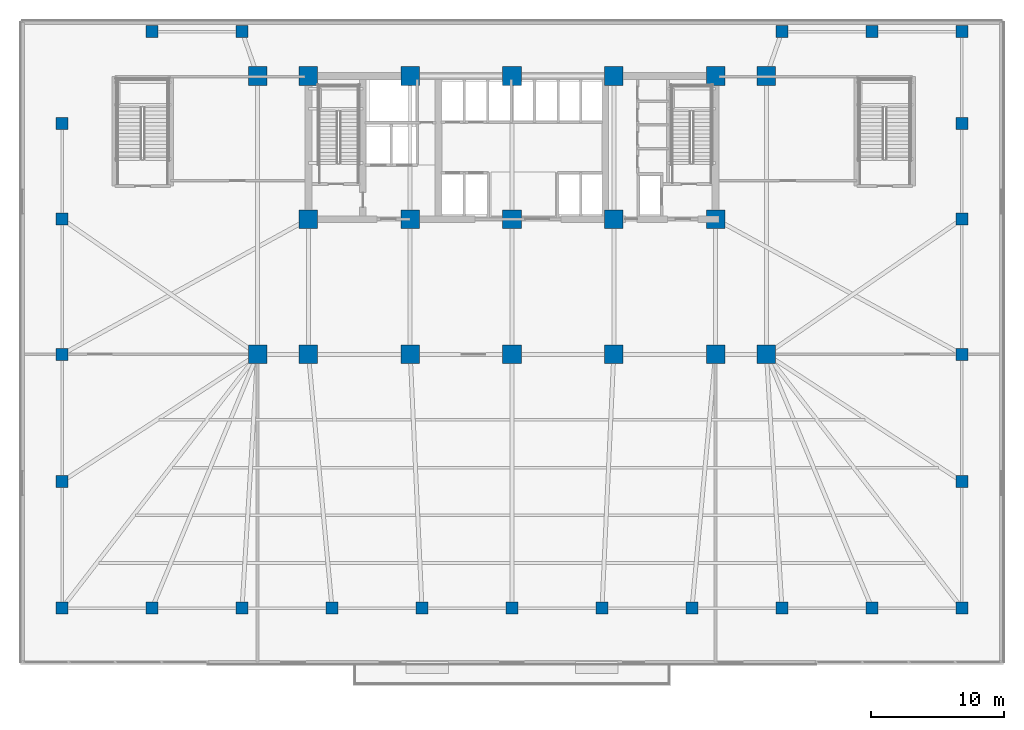
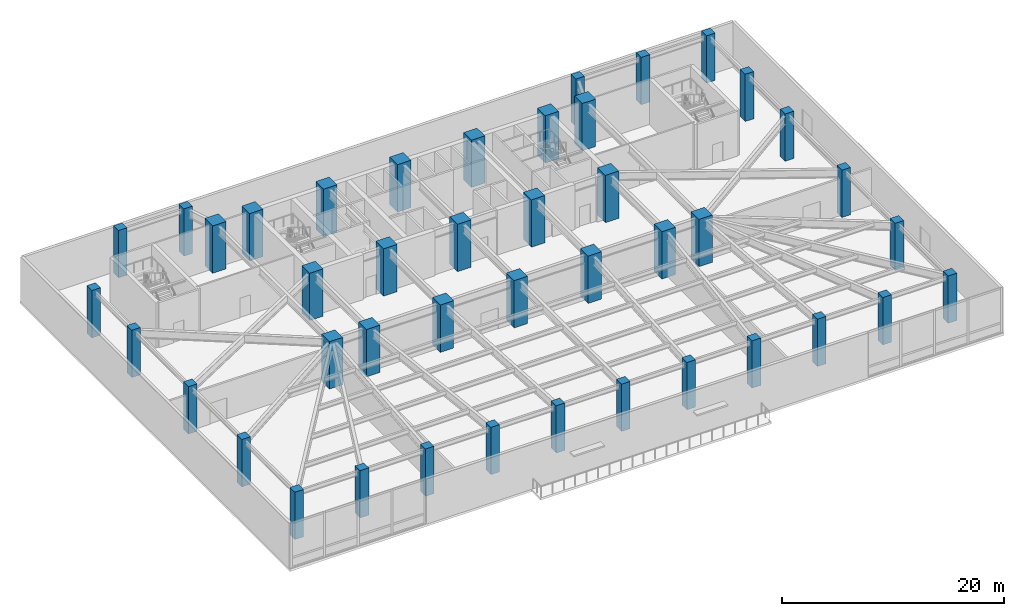
# One storey, part 1 of 15: 43 columns.
"""IFC4 building model written with IfcOpenShell, lengths in metres."""

from ifc_helpers import new_model, si_unit, direction, frame, origin, origin_2d, place, context, subcontext, project, spatial, rectangle, extrude, material, material_profile, profile_set, type_object, element, save


model = new_model("IFC4")

# Units and contexts
model_context = context("Model", 3, precision=1e-05, world=origin(), true_north=direction((0.0, 1.0)))
body_context = subcontext(model_context, "Body", "Model", "MODEL_VIEW")
ifc_project = project(units=[si_unit("LENGTHUNIT", "METRE"), si_unit("AREAUNIT", "SQUARE_METRE"), si_unit("VOLUMEUNIT", "CUBIC_METRE"), si_unit("PLANEANGLEUNIT", "RADIAN"), si_unit("MASSUNIT", "GRAM", prefix="KILO")], contexts=[model_context])

# Site, building, storey
site_placement = place(None, origin())
site = spatial("IfcSite", under=ifc_project, at=site_placement, CompositionType="ELEMENT")
building_placement = place(site_placement, origin())
building = spatial("IfcBuilding", under=site, at=building_placement, Name="Yelkora Congress Tower", CompositionType="ELEMENT")
storey_placement = place(building_placement, frame((0.0, 0.0, 10.39990234375)))
storey = spatial("IfcBuildingStorey", under=building, at=storey_placement, Name="L02", CompositionType="ELEMENT", Elevation=10.39990234375)

# Columns
ifc_material_1 = material(Name="Concrete C60/75", Category="concrete")
ifc_material_profile_1 = material_profile(ifc_material_1, rectangle(XDim=1.39990234375, YDim=1.39990234375, at=origin_2d()), Name="RC 1400x1400")
ifc_profile_set_1 = profile_set([ifc_material_profile_1], Name="Concrete C60/75")
column_type_1 = type_object("IfcColumnType", Name="COL-RC-1400", PredefinedType="COLUMN", material=ifc_profile_set_1)
for number, where, z_axis, x_axis, name in (
    (1, (23.0400390625, 35.39990234375, 0.0), (0.0, 0.0, 1.0), (1.0, 0.0, 0.0), "L02 Mega Column MC-S1"),
    (2, (23.0400390625, 46.199951171875, 0.0), (0.0, 0.0, 1.0), (1.0, 0.0, 0.0), "L02 Mega Column MC-N1"),
    (3, (23.0400390625, 25.199951171875, 0.0), (0.0, 0.0, 1.0), (1.0, 0.0, 0.0), "L02 Mega Column MC-D1"),
    (4, (30.719970703125, 35.39990234375, 0.0), (0.0, 0.0, 1.0), (1.0, 0.0, 0.0), "L02 Mega Column MC-S2"),
    (5, (30.719970703125, 46.199951171875, 0.0), (0.0, 0.0, 1.0), (1.0, 0.0, 0.0), "L02 Mega Column MC-N2"),
    (6, (30.719970703125, 25.199951171875, 0.0), (0.0, 0.0, 1.0), (1.0, 0.0, 0.0), "L02 Mega Column MC-D2"),
    (7, (38.39990234375, 35.39990234375, 0.0), (0.0, 0.0, 1.0), (1.0, 0.0, 0.0), "L02 Mega Column MC-S3"),
    (8, (38.39990234375, 46.199951171875, 0.0), (0.0, 0.0, 1.0), (1.0, 0.0, 0.0), "L02 Mega Column MC-N3"),
    (9, (38.39990234375, 25.199951171875, 0.0), (0.0, 0.0, 1.0), (1.0, 0.0, 0.0), "L02 Mega Column MC-D3"),
    (10, (46.080078125, 35.39990234375, 0.0), (0.0, 0.0, 1.0), (1.0, 0.0, 0.0), "L02 Mega Column MC-S4"),
    (11, (46.080078125, 46.199951171875, 0.0), (0.0, 0.0, 1.0), (1.0, 0.0, 0.0), "L02 Mega Column MC-N4"),
    (12, (46.080078125, 25.199951171875, 0.0), (0.0, 0.0, 1.0), (1.0, 0.0, 0.0), "L02 Mega Column MC-D4"),
    (13, (53.760009765625, 35.39990234375, 0.0), (0.0, 0.0, 1.0), (1.0, 0.0, 0.0), "L02 Mega Column MC-S5"),
    (14, (53.760009765625, 46.199951171875, 0.0), (0.0, 0.0, 1.0), (1.0, 0.0, 0.0), "L02 Mega Column MC-N5"),
    (15, (53.760009765625, 25.199951171875, 0.0), (0.0, 0.0, 1.0), (1.0, 0.0, 0.0), "L02 Mega Column MC-D5"),
    (16, (19.199951171875, 25.199951171875, 0.0), (0.0, 0.0, 1.0), (1.0, 0.0, 0.0), "L02 Mega Column MC-F1"),
    (17, (57.60009765625, 25.199951171875, 0.0), (0.0, 0.0, 1.0), (1.0, 0.0, 0.0), "L02 Mega Column MC-F2"),
    (18, (19.199951171875, 46.199951171875, 0.0), (0.0, 0.0, 1.0), (1.0, 0.0, 0.0), "L02 Mega Column MC-F3"),
    (19, (57.60009765625, 46.199951171875, 0.0), (0.0, 0.0, 1.0), (1.0, 0.0, 0.0), "L02 Mega Column MC-F4"),
):
    element("IfcColumn", number, at=place(storey_placement, frame(where, z_axis=z_axis, x_axis=x_axis)), inside=storey, type_object=column_type_1, Name=name, PredefinedType="COLUMN", context=body_context, shape_type="SweptSolid", body=[
        extrude(rectangle(XDim=1.39990234375, YDim=1.39990234375, at=origin_2d()), origin(), (0.0, 0.0, 1.0), 5.2001953125),
    ])
ifc_material_2 = material(Name="Concrete C50/60", Category="concrete")
ifc_material_profile_2 = material_profile(ifc_material_2, rectangle(XDim=0.89990234375, YDim=0.89990234375, at=origin_2d()), Name="RC 900x900")
ifc_profile_set_2 = profile_set([ifc_material_profile_2], Name="Concrete C50/60")
column_type_2 = type_object("IfcColumnType", Name="COL-RC-900", PredefinedType="COLUMN", material=ifc_profile_set_2)
for number, where, z_axis, x_axis, name in (
    (20, (4.449951171875, 6.050048828125, 0.0), (0.0, 0.0, 1.0), (1.0, 0.0, 0.0), "L02 Podium Column PS01"),
    (21, (11.239990234375, 6.050048828125, 0.0), (0.0, 0.0, 1.0), (1.0, 0.0, 0.0), "L02 Podium Column PS02"),
    (22, (11.239990234375, 49.550048828125, 0.0), (0.0, 0.0, 1.0), (1.0, 0.0, 0.0), "L02 Podium North Column PN02"),
    (23, (18.030029296875, 6.050048828125, 0.0), (0.0, 0.0, 1.0), (1.0, 0.0, 0.0), "L02 Podium Column PS03"),
    (24, (18.030029296875, 49.550048828125, 0.0), (0.0, 0.0, 1.0), (1.0, 0.0, 0.0), "L02 Podium North Column PN03"),
    (25, (24.820068359375, 6.050048828125, 0.0), (0.0, 0.0, 1.0), (1.0, 0.0, 0.0), "L02 Podium Column PS04"),
    (26, (31.610107421875, 6.050048828125, 0.0), (0.0, 0.0, 1.0), (1.0, 0.0, 0.0), "L02 Podium Column PS05"),
    (27, (38.39990234375, 6.050048828125, 0.0), (0.0, 0.0, 1.0), (1.0, 0.0, 0.0), "L02 Podium Column PS06"),
    (28, (45.18994140625, 6.050048828125, 0.0), (0.0, 0.0, 1.0), (1.0, 0.0, 0.0), "L02 Podium Column PS07"),
    (29, (51.97998046875, 6.050048828125, 0.0), (0.0, 0.0, 1.0), (1.0, 0.0, 0.0), "L02 Podium Column PS08"),
    (30, (58.77001953125, 6.050048828125, 0.0), (0.0, 0.0, 1.0), (1.0, 0.0, 0.0), "L02 Podium Column PS09"),
    (31, (58.77001953125, 49.550048828125, 0.0), (0.0, 0.0, 1.0), (1.0, 0.0, 0.0), "L02 Podium North Column PN09"),
    (32, (65.56005859375, 6.050048828125, 0.0), (0.0, 0.0, 1.0), (1.0, 0.0, 0.0), "L02 Podium Column PS10"),
    (33, (65.56005859375, 49.550048828125, 0.0), (0.0, 0.0, 1.0), (1.0, 0.0, 0.0), "L02 Podium North Column PN10"),
    (34, (72.35009765625, 6.050048828125, 0.0), (0.0, 0.0, 1.0), (1.0, 0.0, 0.0), "L02 Podium Column PS11"),
    (35, (72.35009765625, 49.550048828125, 0.0), (0.0, 0.0, 1.0), (1.0, 0.0, 0.0), "L02 Podium North Column PN11"),
    (36, (4.449951171875, 15.60009765625, 0.0), (0.0, 0.0, 1.0), (1.0, 0.0, 0.0), "L02 Podium Flank Column PW1"),
    (37, (72.35009765625, 15.60009765625, 0.0), (0.0, 0.0, 1.0), (1.0, 0.0, 0.0), "L02 Podium Flank Column PE1"),
    (38, (4.449951171875, 25.199951171875, 0.0), (0.0, 0.0, 1.0), (1.0, 0.0, 0.0), "L02 Podium Flank Column PW2"),
    (39, (72.35009765625, 25.199951171875, 0.0), (0.0, 0.0, 1.0), (1.0, 0.0, 0.0), "L02 Podium Flank Column PE2"),
    (40, (4.449951171875, 35.39990234375, 0.0), (0.0, 0.0, 1.0), (1.0, 0.0, 0.0), "L02 Podium Flank Column PW3"),
    (41, (72.35009765625, 35.39990234375, 0.0), (0.0, 0.0, 1.0), (1.0, 0.0, 0.0), "L02 Podium Flank Column PE3"),
    (42, (4.449951171875, 42.60009765625, 0.0), (0.0, 0.0, 1.0), (1.0, 0.0, 0.0), "L02 Podium Flank Column PW4"),
    (43, (72.35009765625, 42.60009765625, 0.0), (0.0, 0.0, 1.0), (1.0, 0.0, 0.0), "L02 Podium Flank Column PE4"),
):
    element("IfcColumn", number, at=place(storey_placement, frame(where, z_axis=z_axis, x_axis=x_axis)), inside=storey, type_object=column_type_2, Name=name, PredefinedType="COLUMN", context=body_context, shape_type="SweptSolid", body=[
        extrude(rectangle(XDim=0.89990234375, YDim=0.89990234375, at=origin_2d()), origin(), (0.0, 0.0, 1.0), 5.2001953125),
    ])

save(model, "model.ifc")
